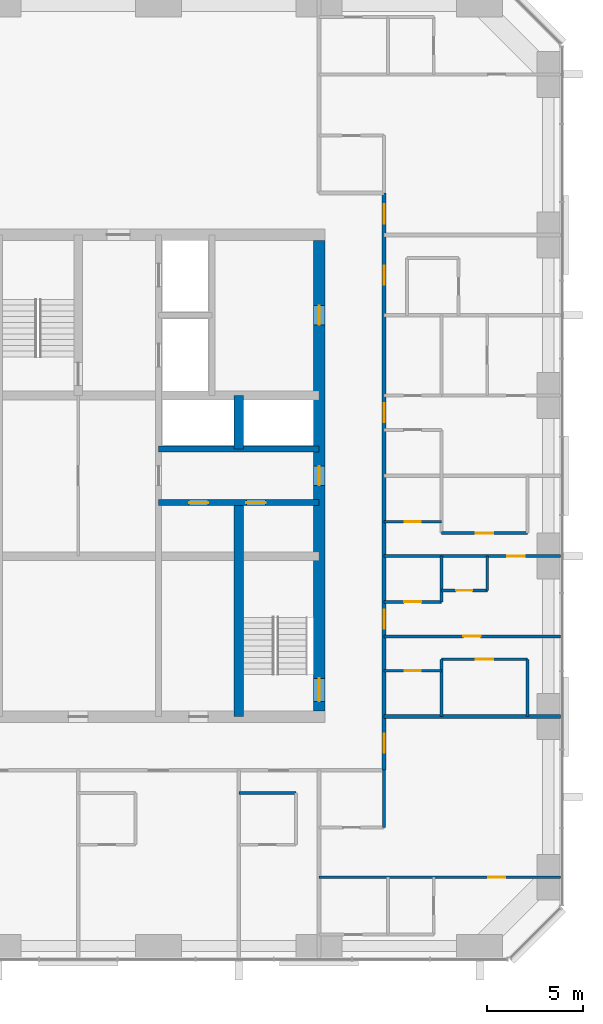
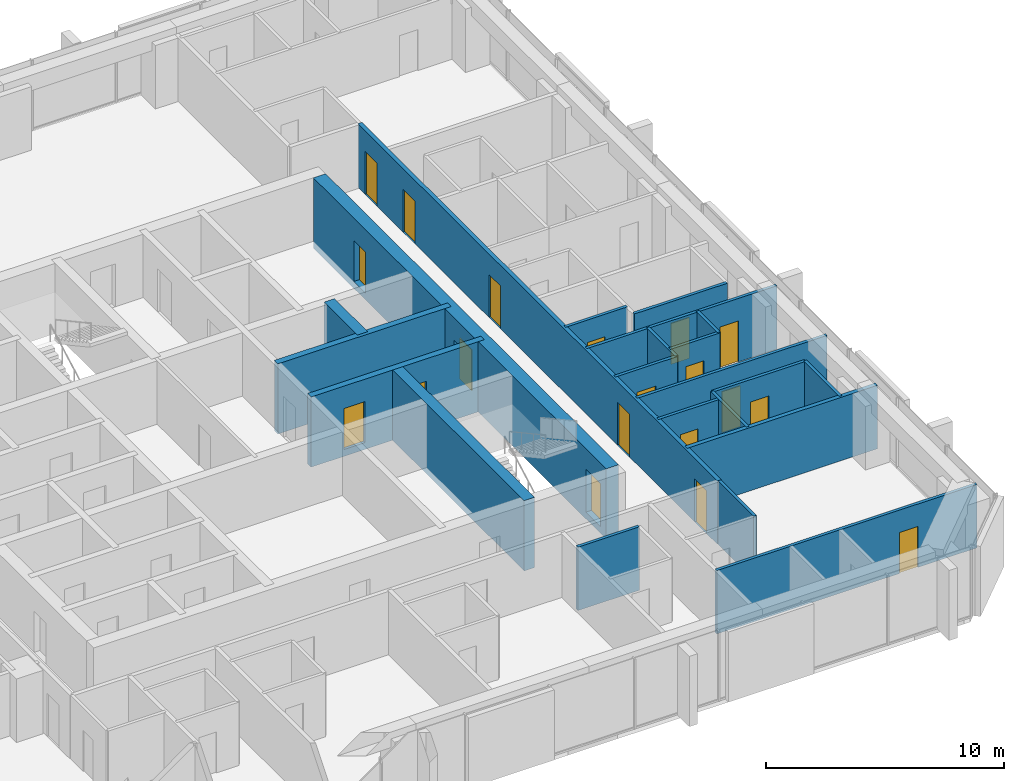
# One storey, part 10 of 13: 22 walls, 19 doors, 19 openings.
"""IFC4 building model written with IfcOpenShell, lengths in metres."""

from ifc_helpers import new_model, si_unit, direction, frame, frame_2d, origin, place, context, subcontext, project, spatial, rectangle, extrude, material, layer, layer_set, type_object, element, fill, save


model = new_model("IFC4")

# Units and contexts
model_context = context("Model", 3, precision=1e-05, world=origin(), true_north=direction((0.0, 1.0)))
body_context = subcontext(model_context, "Body", "Model", "MODEL_VIEW")
ifc_project = project(units=[si_unit("LENGTHUNIT", "METRE"), si_unit("AREAUNIT", "SQUARE_METRE"), si_unit("VOLUMEUNIT", "CUBIC_METRE"), si_unit("PLANEANGLEUNIT", "RADIAN"), si_unit("MASSUNIT", "GRAM", prefix="KILO")], contexts=[model_context])

# Site, building, storey
site_placement = place(None, origin())
site = spatial("IfcSite", under=ifc_project, at=site_placement, CompositionType="ELEMENT")
building_placement = place(site_placement, origin())
building = spatial("IfcBuilding", under=site, at=building_placement, Name="Dunama Terrace Hotel", CompositionType="ELEMENT")
storey_placement = place(building_placement, frame((0.0, 0.0, 187.800048828125)))
storey = spatial("IfcBuildingStorey", under=building, at=storey_placement, Name="L48", CompositionType="ELEMENT", Elevation=187.800048828125)

# Walls
ifc_material_1 = material(Name="Gypsum board partition", Category="masonry")
ifc_layer_1 = layer(ifc_material_1, 0.14990234375)
ifc_layer_set_1 = layer_set([ifc_layer_1], Name="Bathroom partition 150")
wall_type_1 = type_object("IfcWallType", Name="Bathroom partition 150", PredefinedType="PARTITIONING", material=ifc_layer_set_1)
wall_1_placement = place(storey_placement, frame((45.39990234375, 11.0, 0.0), z_axis=(0.0, 0.0, 1.0), x_axis=(0.0, 1.0, 0.0)))
element("IfcWall", 1, at=wall_1_placement, inside=storey, type_object=wall_type_1, Name="Bathroom partition 150 L48", PredefinedType="PARTITIONING", context=body_context, shape_type="SweptSolid", body=[
    extrude(rectangle(XDim=3.0, YDim=0.14990234375, at=frame_2d((1.5, 0.0))), origin(), (0.0, 0.0, 1.0), 3.25),
])
wall_2_placement = place(storey_placement, frame((50.800048828125, 23.39990234375, 0.0), z_axis=(0.0, 0.0, 1.0), x_axis=(0.0, 1.0, 0.0)))
element("IfcWall", 2, at=wall_2_placement, inside=storey, type_object=wall_type_1, Name="Bathroom partition 150 L48", PredefinedType="PARTITIONING", context=body_context, shape_type="SweptSolid", body=[
    extrude(rectangle(XDim=1.800048828125, YDim=0.14990234375, at=frame_2d((0.89990234375, 0.0))), origin(), (0.0, 0.0, 1.0), 3.25),
])
wall_3_placement = place(storey_placement, frame((37.800048828125, 12.800048828125, 0.0), z_axis=(0.0, 0.0, 1.0), x_axis=(1.0, 0.0, 0.0)))
element("IfcWall", 3, at=wall_3_placement, inside=storey, type_object=wall_type_1, Name="Bathroom partition 150 L48", PredefinedType="PARTITIONING", context=body_context, shape_type="SweptSolid", body=[
    extrude(rectangle(XDim=3.0, YDim=0.14990234375, at=frame_2d((1.5, 0.0))), origin(), (0.0, 0.0, 1.0), 3.25),
])

# Wall, opening, door
wall_4_placement = place(storey_placement, frame((45.39990234375, 19.199951171875, 0.0), z_axis=(0.0, 0.0, 1.0), x_axis=(1.0, 0.0, 0.0)))
wall_4 = element("IfcWall", 4, at=wall_4_placement, inside=storey, type_object=wall_type_1, Name="Bathroom partition 150 L48", PredefinedType="PARTITIONING", context=body_context, shape_type="SweptSolid", body=[
    extrude(rectangle(XDim=3.0, YDim=0.14990234375, at=frame_2d((1.5, 0.0))), origin(), (0.0, 0.0, 1.0), 3.25),
])
opening_1_placement = place(wall_4_placement, frame((1.074951171875, 0.0, 0.0)))
opening_1 = element("IfcOpeningElement", 5, at=opening_1_placement, cuts=wall_4, Name="Opening L48-50-024", PredefinedType="OPENING", context=body_context, shape_type="SweptSolid", body=[
    extrude(rectangle(XDim=0.85009765625, YDim=2.10009765625, at=frame_2d((0.425048828125, 1.050048828125))), frame((0.0, 0.0849609375, 0.0), z_axis=(0.0, -1.0, 0.0), x_axis=(1.0, 0.0, 0.0)), (0.0, 0.0, 1.0), 0.169921875),
])
ifc_material_2 = material(Name="Timber door with steel frame", Category="steel")
door_type_1 = type_object("IfcDoorType", Name="Bathroom door 850", OperationType="SINGLE_SWING_LEFT", PredefinedType="DOOR", material=ifc_material_2)
door_1_placement = place(opening_1_placement, frame((0.85009765625, 0.0, 0.0), z_axis=(0.0, 0.0, 1.0), x_axis=(-1.0, 0.0, 0.0)))
door_1 = element("IfcDoor", 6, at=door_1_placement, inside=storey, type_object=door_type_1, Name="Door to en-suite bathroom L48-50-024, type D2", OperationType="SINGLE_SWING_RIGHT", OverallHeight=2.10009765625, OverallWidth=0.85009765625, PredefinedType="DOOR", context=body_context, shape_type="SweptSolid", body=[
    extrude(rectangle(XDim=0.85009765625, YDim=2.10009765625, at=frame_2d((0.425048828125, 1.050048828125))), frame((0.0, 0.025146484375, 0.0), z_axis=(0.0, -1.0, 0.0), x_axis=(1.0, 0.0, 0.0)), (0.0, 0.0, 1.0), 0.050048828125),
])
fill(opening_1, door_1)

wall_5_placement = place(storey_placement, frame((48.39990234375, 23.39990234375, 0.0), z_axis=(0.0, 0.0, 1.0), x_axis=(1.0, 0.0, 0.0)))
wall_5 = element("IfcWall", 7, at=wall_5_placement, inside=storey, type_object=wall_type_1, Name="Bathroom partition 150 L48", PredefinedType="PARTITIONING", context=body_context, shape_type="SweptSolid", body=[
    extrude(rectangle(XDim=2.400146484375, YDim=0.14990234375, at=frame_2d((1.2001953125, 0.0))), origin(), (0.0, 0.0, 1.0), 3.25),
])
opening_2_placement = place(wall_5_placement, frame((0.77490234375, 0.0, 0.0)))
opening_2 = element("IfcOpeningElement", 8, at=opening_2_placement, cuts=wall_5, Name="Opening L48-50-019", PredefinedType="OPENING", context=body_context, shape_type="SweptSolid", body=[
    extrude(rectangle(XDim=0.85009765625, YDim=2.10009765625, at=frame_2d((0.425048828125, 1.050048828125))), frame((0.0, 0.0849609375, 0.0), z_axis=(0.0, -1.0, 0.0), x_axis=(1.0, 0.0, 0.0)), (0.0, 0.0, 1.0), 0.169921875),
])
door_2_placement = place(opening_2_placement, origin())
door_2 = element("IfcDoor", 9, at=door_2_placement, inside=storey, type_object=door_type_1, Name="Door to two-bedroom diplomatic residence guest wc L48-50-019, type D2", OperationType="SINGLE_SWING_LEFT", OverallHeight=2.10009765625, OverallWidth=0.85009765625, PredefinedType="DOOR", context=body_context, shape_type="SweptSolid", body=[
    extrude(rectangle(XDim=0.85009765625, YDim=2.10009765625, at=frame_2d((0.425048828125, 1.050048828125))), frame((0.0, 0.02490234375, 0.0), z_axis=(0.0, -1.0, 0.0), x_axis=(1.0, 0.0, 0.0)), (0.0, 0.0, 1.0), 0.050048828125),
])
fill(opening_2, door_2)

wall_6_placement = place(storey_placement, frame((45.39990234375, 27.0, 0.0), z_axis=(0.0, 0.0, 1.0), x_axis=(1.0, 0.0, 0.0)))
wall_6 = element("IfcWall", 10, at=wall_6_placement, inside=storey, type_object=wall_type_1, Name="Bathroom partition 150 L48", PredefinedType="PARTITIONING", context=body_context, shape_type="SweptSolid", body=[
    extrude(rectangle(XDim=3.0, YDim=0.14990234375, at=frame_2d((1.5, 0.0))), origin(), (0.0, 0.0, 1.0), 3.25),
])
opening_3_placement = place(wall_6_placement, frame((1.074951171875, 0.0, 0.0)))
opening_3 = element("IfcOpeningElement", 11, at=opening_3_placement, cuts=wall_6, Name="Opening L48-50-021", PredefinedType="OPENING", context=body_context, shape_type="SweptSolid", body=[
    extrude(rectangle(XDim=0.85009765625, YDim=2.10009765625, at=frame_2d((0.425048828125, 1.050048828125))), frame((0.0, 0.0849609375, 0.0), z_axis=(0.0, -1.0, 0.0), x_axis=(1.0, 0.0, 0.0)), (0.0, 0.0, 1.0), 0.169921875),
])
door_3_placement = place(opening_3_placement, origin())
door_3 = element("IfcDoor", 12, at=door_3_placement, inside=storey, type_object=door_type_1, Name="Door to en-suite bathroom L48-50-021, type D2", OperationType="SINGLE_SWING_LEFT", OverallHeight=2.10009765625, OverallWidth=0.85009765625, PredefinedType="DOOR", context=body_context, shape_type="SweptSolid", body=[
    extrude(rectangle(XDim=0.85009765625, YDim=2.10009765625, at=frame_2d((0.425048828125, 1.050048828125))), frame((0.0, 0.02490234375, 0.0), z_axis=(0.0, -1.0, 0.0), x_axis=(1.0, 0.0, 0.0)), (0.0, 0.0, 1.0), 0.050048828125),
])
fill(opening_3, door_3)

# Wall, openings, doors
ifc_material_3 = material(Name="Concrete C50/60", Category="concrete")
ifc_layer_2 = layer(ifc_material_3, 0.300048828125)
ifc_layer_set_2 = layer_set([ifc_layer_2], Name="Core inner wall 300")
wall_type_2 = type_object("IfcWallType", Name="Core inner wall 300", PredefinedType="SHEAR", material=ifc_layer_set_2)
wall_7_placement = place(storey_placement, frame((33.60009765625, 28.0, -0.35009765625), z_axis=(0.0, 0.0, 1.0), x_axis=(1.0, 0.0, 0.0)))
wall_7 = element("IfcWall", 13, at=wall_7_placement, inside=storey, type_object=wall_type_2, Name="Core inner wall 300 L48", PredefinedType="SHEAR", context=body_context, shape_type="SweptSolid", body=[
    extrude(rectangle(XDim=8.39990234375, YDim=0.300048828125, at=frame_2d((4.199951171875, 0.0))), origin(), (0.0, 0.0, 1.0), 3.60009765625),
])
opening_4_placement = place(wall_7_placement, frame((1.60009765625, 0.0, 0.35009765625)))
opening_4 = element("IfcOpeningElement", 14, at=opening_4_placement, cuts=wall_7, Name="Opening L48-50-069", PredefinedType="OPENING", context=body_context, shape_type="SweptSolid", body=[
    extrude(rectangle(XDim=1.0, YDim=2.10009765625, at=frame_2d((0.5, 1.050048828125))), frame((0.0, 0.159912109375, 0.0), z_axis=(0.0, -1.0, 0.0), x_axis=(1.0, 0.0, 0.0)), (0.0, 0.0, 1.0), 0.320068359375),
])
opening_5_placement = place(wall_7_placement, frame((4.60009765625, 0.0, 0.35009765625)))
opening_5 = element("IfcOpeningElement", 15, at=opening_5_placement, cuts=wall_7, Name="Opening L48-50-070", PredefinedType="OPENING", context=body_context, shape_type="SweptSolid", body=[
    extrude(rectangle(XDim=1.0, YDim=2.10009765625, at=frame_2d((0.5, 1.050048828125))), frame((0.0, 0.159912109375, 0.0), z_axis=(0.0, -1.0, 0.0), x_axis=(1.0, 0.0, 0.0)), (0.0, 0.0, 1.0), 0.320068359375),
])
ifc_material_4 = material(Name="Timber door with steel frame", Category="steel")
door_type_2 = type_object("IfcDoorType", Name="Service door 1000", OperationType="SINGLE_SWING_LEFT", PredefinedType="DOOR", material=ifc_material_4)
door_4_placement = place(opening_4_placement, frame((1.0, 0.0, 0.0), z_axis=(0.0, 0.0, 1.0), x_axis=(-1.0, 0.0, 0.0)))
door_4 = element("IfcDoor", 16, at=door_4_placement, inside=storey, type_object=door_type_2, Name="Door to service riser L48-50-069, type D7", OperationType="SINGLE_SWING_LEFT", OverallHeight=2.10009765625, OverallWidth=1.0, PredefinedType="DOOR", context=body_context, shape_type="SweptSolid", body=[
    extrude(rectangle(XDim=1.0, YDim=2.10009765625, at=frame_2d((0.5, 1.050048828125))), frame((0.0, 0.025146484375, 0.0), z_axis=(0.0, -1.0, 0.0), x_axis=(1.0, 0.0, 0.0)), (0.0, 0.0, 1.0), 0.050048828125),
])
fill(opening_4, door_4)
door_5_placement = place(opening_5_placement, frame((1.0, 0.0, 0.0), z_axis=(0.0, 0.0, 1.0), x_axis=(-1.0, 0.0, 0.0)))
door_5 = element("IfcDoor", 17, at=door_5_placement, inside=storey, type_object=door_type_2, Name="Door to cleaners store L48-50-070, type D7", OperationType="SINGLE_SWING_RIGHT", OverallHeight=2.10009765625, OverallWidth=1.0, PredefinedType="DOOR", context=body_context, shape_type="SweptSolid", body=[
    extrude(rectangle(XDim=1.0, YDim=2.10009765625, at=frame_2d((0.5, 1.050048828125))), frame((0.0, 0.025146484375, 0.0), z_axis=(0.0, -1.0, 0.0), x_axis=(1.0, 0.0, 0.0)), (0.0, 0.0, 1.0), 0.050048828125),
])
fill(opening_5, door_5)

# Walls
wall_8_placement = place(storey_placement, frame((33.60009765625, 30.800048828125, -0.35009765625), z_axis=(0.0, 0.0, 1.0), x_axis=(1.0, 0.0, 0.0)))
element("IfcWall", 18, at=wall_8_placement, inside=storey, type_object=wall_type_2, Name="Core inner wall 300 L48", PredefinedType="SHEAR", context=body_context, shape_type="SweptSolid", body=[
    extrude(rectangle(XDim=8.39990234375, YDim=0.300048828125, at=frame_2d((4.199951171875, 0.0))), origin(), (0.0, 0.0, 1.0), 3.60009765625),
])
ifc_material_5 = material(Name="Concrete C50/60", Category="concrete")
ifc_layer_3 = layer(ifc_material_5, 0.5)
ifc_layer_set_3 = layer_set([ifc_layer_3], Name="Core inner wall 500")
wall_type_3 = type_object("IfcWallType", Name="Core inner wall 500", PredefinedType="SHEAR", material=ifc_layer_set_3)
wall_9_placement = place(storey_placement, frame((37.800048828125, 16.800048828125, -0.35009765625), z_axis=(0.0, 0.0, 1.0), x_axis=(0.0, 1.0, 0.0)))
element("IfcWall", 19, at=wall_9_placement, inside=storey, type_object=wall_type_3, Name="Core inner wall 500 L48", PredefinedType="SHEAR", context=body_context, shape_type="SweptSolid", body=[
    extrude(rectangle(XDim=11.199951171875, YDim=0.5, at=frame_2d((5.60009765625, 0.0))), origin(), (0.0, 0.0, 1.0), 3.60009765625),
])
wall_10_placement = place(storey_placement, frame((37.800048828125, 30.800048828125, -0.35009765625), z_axis=(0.0, 0.0, 1.0), x_axis=(0.0, 1.0, 0.0)))
element("IfcWall", 20, at=wall_10_placement, inside=storey, type_object=wall_type_3, Name="Core inner wall 500 L48", PredefinedType="SHEAR", context=body_context, shape_type="SweptSolid", body=[
    extrude(rectangle(XDim=2.800048828125, YDim=0.5, at=frame_2d((1.39990234375, 0.0))), origin(), (0.0, 0.0, 1.0), 3.60009765625),
])

# Wall, openings, doors
ifc_material_6 = material(Name="Concrete C50/60", Category="concrete")
ifc_layer_4 = layer(ifc_material_6, 0.60009765625)
ifc_layer_set_4 = layer_set([ifc_layer_4], Name="Core wall 600")
wall_type_4 = type_object("IfcWallType", Name="Core wall 600", PredefinedType="SHEAR", material=ifc_layer_set_4)
wall_11_placement = place(storey_placement, frame((42.0, 17.10009765625, -0.35009765625), z_axis=(0.0, 0.0, 1.0), x_axis=(0.0, 1.0, 0.0)))
wall_11 = element("IfcWall", 21, at=wall_11_placement, inside=storey, type_object=wall_type_4, Name="Core wall east L48", PredefinedType="SHEAR", context=body_context, shape_type="SweptSolid", body=[
    extrude(rectangle(XDim=24.599853515625, YDim=0.60009765625, at=frame_2d((12.2998046875, 0.0))), origin(), (0.0, 0.0, 1.0), 3.60009765625),
])
opening_6_placement = place(wall_11_placement, frame((0.5, 0.0, 0.35009765625)))
opening_6 = element("IfcOpeningElement", 22, at=opening_6_placement, cuts=wall_11, Name="Opening L48-50-002", PredefinedType="OPENING", context=body_context, shape_type="SweptSolid", body=[
    extrude(rectangle(XDim=1.199951171875, YDim=2.199951171875, at=frame_2d((0.60009765625, 1.10009765625))), frame((0.0, 0.31005859375, 0.0), z_axis=(0.0, -1.0, 0.0), x_axis=(1.0, 0.0, 0.0)), (0.0, 0.0, 1.0), 0.6201171875),
])
opening_7_placement = place(wall_11_placement, frame((11.800048828125, 0.0, 0.35009765625)))
opening_7 = element("IfcOpeningElement", 23, at=opening_7_placement, cuts=wall_11, Name="Opening L48-50-071", PredefinedType="OPENING", context=body_context, shape_type="SweptSolid", body=[
    extrude(rectangle(XDim=1.0, YDim=2.10009765625, at=frame_2d((0.5, 1.050048828125))), frame((0.0, 0.31005859375, 0.0), z_axis=(0.0, -1.0, 0.0), x_axis=(1.0, 0.0, 0.0)), (0.0, 0.0, 1.0), 0.6201171875),
])
opening_8_placement = place(wall_11_placement, frame((20.199951171875, 0.0, 0.35009765625)))
opening_8 = element("IfcOpeningElement", 24, at=opening_8_placement, cuts=wall_11, Name="Opening L48-50-073", PredefinedType="OPENING", context=body_context, shape_type="SweptSolid", body=[
    extrude(rectangle(XDim=1.0, YDim=2.10009765625, at=frame_2d((0.5, 1.050048828125))), frame((0.0, 0.31005859375, 0.0), z_axis=(0.0, -1.0, 0.0), x_axis=(1.0, 0.0, 0.0)), (0.0, 0.0, 1.0), 0.6201171875),
])
door_6_placement = place(opening_7_placement, origin())
door_6 = element("IfcDoor", 25, at=door_6_placement, inside=storey, type_object=door_type_2, Name="Door to service lobby L48-50-071, type D7", OperationType="SINGLE_SWING_RIGHT", OverallHeight=2.10009765625, OverallWidth=1.0, PredefinedType="DOOR", context=body_context, shape_type="SweptSolid", body=[
    extrude(rectangle(XDim=1.0, YDim=2.10009765625, at=frame_2d((0.5, 1.050048828125))), frame((0.0, 0.02490234375, 0.0), z_axis=(0.0, -1.0, 0.0), x_axis=(1.0, 0.0, 0.0)), (0.0, 0.0, 1.0), 0.050048828125),
])
fill(opening_7, door_6)
door_7_placement = place(opening_8_placement, origin())
door_7 = element("IfcDoor", 26, at=door_7_placement, inside=storey, type_object=door_type_2, Name="Door to guest pantry L48-50-073, type D7", OperationType="SINGLE_SWING_LEFT", OverallHeight=2.10009765625, OverallWidth=1.0, PredefinedType="DOOR", context=body_context, shape_type="SweptSolid", body=[
    extrude(rectangle(XDim=1.0, YDim=2.10009765625, at=frame_2d((0.5, 1.050048828125))), frame((0.0, 0.02490234375, 0.0), z_axis=(0.0, -1.0, 0.0), x_axis=(1.0, 0.0, 0.0)), (0.0, 0.0, 1.0), 0.050048828125),
])
fill(opening_8, door_7)
ifc_material_7 = material(Name="Timber door with steel frame", Category="steel")
door_type_3 = type_object("IfcDoorType", Name="Stair door 1200", OperationType="SINGLE_SWING_LEFT", PredefinedType="DOOR", material=ifc_material_7)
door_8_placement = place(opening_6_placement, origin())
door_8 = element("IfcDoor", 27, at=door_8_placement, inside=storey, type_object=door_type_3, Name="Stair door ST2 L48-50-002, type D5", OperationType="SINGLE_SWING_LEFT", OverallHeight=2.199951171875, OverallWidth=1.199951171875, PredefinedType="DOOR", context=body_context, shape_type="SweptSolid", body=[
    extrude(rectangle(XDim=1.199951171875, YDim=2.199951171875, at=frame_2d((0.60009765625, 1.10009765625))), frame((0.0, 0.02490234375, 0.0), z_axis=(0.0, -1.0, 0.0), x_axis=(1.0, 0.0, 0.0)), (0.0, 0.0, 1.0), 0.050048828125),
])
fill(opening_6, door_8)

ifc_material_8 = material(Name="Concrete blockwork", Category="masonry")
ifc_layer_5 = layer(ifc_material_8, 0.199951171875)
ifc_layer_set_5 = layer_set([ifc_layer_5], Name="Corridor partition 200")
wall_type_5 = type_object("IfcWallType", Name="Corridor partition 200", PredefinedType="PARTITIONING", material=ifc_layer_set_5)
wall_12_placement = place(storey_placement, frame((45.39990234375, 44.199951171875, 0.0), z_axis=(0.0, 0.0, 1.0), x_axis=(0.0, -1.0, 0.0)))
wall_12 = element("IfcWall", 28, at=wall_12_placement, inside=storey, type_object=wall_type_5, Name="Corridor partition 200 L48", PredefinedType="PARTITIONING", context=body_context, shape_type="SweptSolid", body=[
    extrude(rectangle(XDim=30.199951171875, YDim=0.199951171875, at=frame_2d((15.10009765625, 0.0))), origin(), (0.0, 0.0, 1.0), 3.25),
])
opening_9_placement = place(wall_12_placement, frame((21.800048828125, 0.0, 0.0)))
opening_9 = element("IfcOpeningElement", 29, at=opening_9_placement, cuts=wall_12, Name="Opening L48-50-017", PredefinedType="OPENING", context=body_context, shape_type="SweptSolid", body=[
    extrude(rectangle(XDim=1.0, YDim=2.199951171875, at=frame_2d((0.5, 1.10009765625))), frame((0.0, 0.10986328125, 0.0), z_axis=(0.0, -1.0, 0.0), x_axis=(1.0, 0.0, 0.0)), (0.0, 0.0, 1.0), 0.219970703125),
])
opening_10_placement = place(wall_12_placement, frame((11.0, 0.0, 0.0)))
opening_10 = element("IfcOpeningElement", 30, at=opening_10_placement, cuts=wall_12, Name="Opening L48-50-026", PredefinedType="OPENING", context=body_context, shape_type="SweptSolid", body=[
    extrude(rectangle(XDim=1.0, YDim=2.199951171875, at=frame_2d((0.5, 1.10009765625))), frame((0.0, 0.10986328125, 0.0), z_axis=(0.0, -1.0, 0.0), x_axis=(1.0, 0.0, 0.0)), (0.0, 0.0, 1.0), 0.219970703125),
])
opening_11_placement = place(wall_12_placement, frame((3.800048828125, 0.0, 0.0)))
opening_11 = element("IfcOpeningElement", 31, at=opening_11_placement, cuts=wall_12, Name="Opening L48-50-031", PredefinedType="OPENING", context=body_context, shape_type="SweptSolid", body=[
    extrude(rectangle(XDim=1.0, YDim=2.199951171875, at=frame_2d((0.5, 1.10009765625))), frame((0.0, 0.10986328125, 0.0), z_axis=(0.0, -1.0, 0.0), x_axis=(1.0, 0.0, 0.0)), (0.0, 0.0, 1.0), 0.219970703125),
])
opening_12_placement = place(wall_12_placement, frame((28.300048828125, 0.0, 0.0)))
opening_12 = element("IfcOpeningElement", 32, at=opening_12_placement, cuts=wall_12, Name="Opening L48-50-044", PredefinedType="OPENING", context=body_context, shape_type="SweptSolid", body=[
    extrude(rectangle(XDim=1.0, YDim=2.199951171875, at=frame_2d((0.5, 1.10009765625))), frame((0.0, 0.10986328125, 0.0), z_axis=(0.0, -1.0, 0.0), x_axis=(1.0, 0.0, 0.0)), (0.0, 0.0, 1.0), 0.219970703125),
])
opening_13_placement = place(wall_12_placement, frame((0.60009765625, 0.0, 0.0)))
opening_13 = element("IfcOpeningElement", 33, at=opening_13_placement, cuts=wall_12, Name="Opening L48-50-049", PredefinedType="OPENING", context=body_context, shape_type="SweptSolid", body=[
    extrude(rectangle(XDim=1.0, YDim=2.199951171875, at=frame_2d((0.5, 1.10009765625))), frame((0.0, 0.10986328125, 0.0), z_axis=(0.0, -1.0, 0.0), x_axis=(1.0, 0.0, 0.0)), (0.0, 0.0, 1.0), 0.219970703125),
])
ifc_material_9 = material(Name="Timber door with steel frame", Category="steel")
door_type_4 = type_object("IfcDoorType", Name="Guest room door 1000", OperationType="SINGLE_SWING_LEFT", PredefinedType="DOOR", material=ifc_material_9)
door_9_placement = place(opening_9_placement, origin())
door_9 = element("IfcDoor", 34, at=door_9_placement, inside=storey, type_object=door_type_4, Name="Door to two-bedroom diplomatic residence living room L48-50-017, type D1", OperationType="SINGLE_SWING_LEFT", OverallHeight=2.199951171875, OverallWidth=1.0, PredefinedType="DOOR", context=body_context, shape_type="SweptSolid", body=[
    extrude(rectangle(XDim=1.0, YDim=2.199951171875, at=frame_2d((0.5, 1.10009765625))), frame((0.0, 0.02490234375, 0.0), z_axis=(0.0, -1.0, 0.0), x_axis=(1.0, 0.0, 0.0)), (0.0, 0.0, 1.0), 0.050048828125),
])
fill(opening_9, door_9)
door_10_placement = place(opening_10_placement, origin())
door_10 = element("IfcDoor", 35, at=door_10_placement, inside=storey, type_object=door_type_4, Name="Door to diplomatic residence living room L48-50-026, type D1", OperationType="SINGLE_SWING_LEFT", OverallHeight=2.199951171875, OverallWidth=1.0, PredefinedType="DOOR", context=body_context, shape_type="SweptSolid", body=[
    extrude(rectangle(XDim=1.0, YDim=2.199951171875, at=frame_2d((0.5, 1.10009765625))), frame((0.0, 0.02490234375, 0.0), z_axis=(0.0, -1.0, 0.0), x_axis=(1.0, 0.0, 0.0)), (0.0, 0.0, 1.0), 0.050048828125),
])
fill(opening_10, door_10)
door_11_placement = place(opening_11_placement, origin())
door_11 = element("IfcDoor", 36, at=door_11_placement, inside=storey, type_object=door_type_4, Name="Door to club room L48-50-031, type D1", OperationType="SINGLE_SWING_LEFT", OverallHeight=2.199951171875, OverallWidth=1.0, PredefinedType="DOOR", context=body_context, shape_type="SweptSolid", body=[
    extrude(rectangle(XDim=1.0, YDim=2.199951171875, at=frame_2d((0.5, 1.10009765625))), frame((0.0, 0.02490234375, 0.0), z_axis=(0.0, -1.0, 0.0), x_axis=(1.0, 0.0, 0.0)), (0.0, 0.0, 1.0), 0.050048828125),
])
fill(opening_11, door_11)
door_12_placement = place(opening_12_placement, origin())
door_12 = element("IfcDoor", 37, at=door_12_placement, inside=storey, type_object=door_type_4, Name="Door to corner suite living room L48-50-044, type D1", OperationType="SINGLE_SWING_LEFT", OverallHeight=2.199951171875, OverallWidth=1.0, PredefinedType="DOOR", context=body_context, shape_type="SweptSolid", body=[
    extrude(rectangle(XDim=1.0, YDim=2.199951171875, at=frame_2d((0.5, 1.10009765625))), frame((0.0, 0.02490234375, 0.0), z_axis=(0.0, -1.0, 0.0), x_axis=(1.0, 0.0, 0.0)), (0.0, 0.0, 1.0), 0.050048828125),
])
fill(opening_12, door_12)
door_13_placement = place(opening_13_placement, origin())
door_13 = element("IfcDoor", 38, at=door_13_placement, inside=storey, type_object=door_type_4, Name="Door to corner suite living room L48-50-049, type D1", OperationType="SINGLE_SWING_LEFT", OverallHeight=2.199951171875, OverallWidth=1.0, PredefinedType="DOOR", context=body_context, shape_type="SweptSolid", body=[
    extrude(rectangle(XDim=1.0, YDim=2.199951171875, at=frame_2d((0.5, 1.10009765625))), frame((0.0, 0.02490234375, 0.0), z_axis=(0.0, -1.0, 0.0), x_axis=(1.0, 0.0, 0.0)), (0.0, 0.0, 1.0), 0.050048828125),
])
fill(opening_13, door_13)

# Walls
ifc_material_10 = material(Name="Concrete blockwork", Category="masonry")
ifc_layer_6 = layer(ifc_material_10, 0.199951171875)
ifc_layer_set_6 = layer_set([ifc_layer_6], Name="Party wall 200")
wall_type_6 = type_object("IfcWallType", Name="Party wall 200", PredefinedType="PARTITIONING", material=ifc_layer_set_6)
wall_13_placement = place(storey_placement, frame((45.39990234375, 16.800048828125, 0.0), z_axis=(0.0, 0.0, 1.0), x_axis=(1.0, 0.0, 0.0)))
element("IfcWall", 39, at=wall_13_placement, inside=storey, type_object=wall_type_6, Name="Party wall 200 L48", PredefinedType="PARTITIONING", context=body_context, shape_type="SweptSolid", body=[
    extrude(rectangle(XDim=9.218017578125, YDim=0.199951171875, at=frame_2d((4.60888671875, 0.0))), origin(), (0.0, 0.0, 1.0), 3.25),
])
ifc_material_11 = material(Name="Gypsum board partition", Category="masonry")
ifc_layer_7 = layer(ifc_material_11, 0.14990234375)
ifc_layer_set_7 = layer_set([ifc_layer_7], Name="Room partition 150")
wall_type_7 = type_object("IfcWallType", Name="Room partition 150", PredefinedType="PARTITIONING", material=ifc_layer_set_7)
wall_14_placement = place(storey_placement, frame((48.39990234375, 16.800048828125, 0.0), z_axis=(0.0, 0.0, 1.0), x_axis=(0.0, 1.0, 0.0)))
element("IfcWall", 40, at=wall_14_placement, inside=storey, type_object=wall_type_7, Name="Room partition 150 L48", PredefinedType="PARTITIONING", context=body_context, shape_type="SweptSolid", body=[
    extrude(rectangle(XDim=3.0, YDim=0.14990234375, at=frame_2d((1.5, 0.0))), origin(), (0.0, 0.0, 1.0), 3.25),
])
wall_15_placement = place(storey_placement, frame((48.39990234375, 22.800048828125, 0.0), z_axis=(0.0, 0.0, 1.0), x_axis=(0.0, 1.0, 0.0)))
element("IfcWall", 41, at=wall_15_placement, inside=storey, type_object=wall_type_7, Name="Room partition 150 L48", PredefinedType="PARTITIONING", context=body_context, shape_type="SweptSolid", body=[
    extrude(rectangle(XDim=2.39990234375, YDim=0.14990234375, at=frame_2d((1.199951171875, 0.0))), origin(), (0.0, 0.0, 1.0), 3.25),
])
wall_16_placement = place(storey_placement, frame((52.89990234375, 16.800048828125, 0.0), z_axis=(0.0, 0.0, 1.0), x_axis=(0.0, 1.0, 0.0)))
element("IfcWall", 42, at=wall_16_placement, inside=storey, type_object=wall_type_7, Name="Room partition 150 L48", PredefinedType="PARTITIONING", context=body_context, shape_type="SweptSolid", body=[
    extrude(rectangle(XDim=3.0, YDim=0.14990234375, at=frame_2d((1.5, 0.0))), origin(), (0.0, 0.0, 1.0), 3.25),
])

# Wall, opening, door
wall_17_placement = place(storey_placement, frame((42.0, 8.39990234375, 0.0), z_axis=(0.0, 0.0, 1.0), x_axis=(1.0, 0.0, 0.0)))
wall_17 = element("IfcWall", 43, at=wall_17_placement, inside=storey, type_object=wall_type_7, Name="Room partition 150 L48", PredefinedType="PARTITIONING", context=body_context, shape_type="SweptSolid", body=[
    extrude(rectangle(XDim=12.617919921875, YDim=0.14990234375, at=frame_2d((6.30908203125, 0.0))), origin(), (0.0, 0.0, 1.0), 3.25),
])
opening_14_placement = place(wall_17_placement, frame((8.85009765625, 0.0, 0.0)))
opening_14 = element("IfcOpeningElement", 44, at=opening_14_placement, cuts=wall_17, Name="Opening L48-50-046", PredefinedType="OPENING", context=body_context, shape_type="SweptSolid", body=[
    extrude(rectangle(XDim=0.89990234375, YDim=2.10009765625, at=frame_2d((0.449951171875, 1.050048828125))), frame((0.0, 0.0849609375, 0.0), z_axis=(0.0, -1.0, 0.0), x_axis=(1.0, 0.0, 0.0)), (0.0, 0.0, 1.0), 0.169921875),
])
ifc_material_12 = material(Name="Timber door with steel frame", Category="steel")
door_type_5 = type_object("IfcDoorType", Name="Suite internal door 900", OperationType="SINGLE_SWING_LEFT", PredefinedType="DOOR", material=ifc_material_12)
door_14_placement = place(opening_14_placement, frame((0.89990234375, 0.0, 0.0), z_axis=(0.0, 0.0, 1.0), x_axis=(-1.0, 0.0, 0.0)))
door_14 = element("IfcDoor", 45, at=door_14_placement, inside=storey, type_object=door_type_5, Name="Door to corner suite bedroom L48-50-046, type D16", OperationType="SINGLE_SWING_LEFT", OverallHeight=2.10009765625, OverallWidth=0.89990234375, PredefinedType="DOOR", context=body_context, shape_type="SweptSolid", body=[
    extrude(rectangle(XDim=0.89990234375, YDim=2.10009765625, at=frame_2d((0.449951171875, 1.050048828125))), frame((0.0, 0.025146484375, 0.0), z_axis=(0.0, -1.0, 0.0), x_axis=(1.0, 0.0, 0.0)), (0.0, 0.0, 1.0), 0.050048828125),
])
fill(opening_14, door_14)

wall_18_placement = place(storey_placement, frame((48.39990234375, 19.800048828125, 0.0), z_axis=(0.0, 0.0, 1.0), x_axis=(1.0, 0.0, 0.0)))
wall_18 = element("IfcWall", 46, at=wall_18_placement, inside=storey, type_object=wall_type_7, Name="Room partition 150 L48", PredefinedType="PARTITIONING", context=body_context, shape_type="SweptSolid", body=[
    extrude(rectangle(XDim=4.5, YDim=0.14990234375, at=frame_2d((2.25, 0.0))), origin(), (0.0, 0.0, 1.0), 3.25),
])
opening_15_placement = place(wall_18_placement, frame((1.800048828125, 0.0, 0.0)))
opening_15 = element("IfcOpeningElement", 47, at=opening_15_placement, cuts=wall_18, Name="Opening L48-50-025", PredefinedType="OPENING", context=body_context, shape_type="SweptSolid", body=[
    extrude(rectangle(XDim=0.89990234375, YDim=2.10009765625, at=frame_2d((0.449951171875, 1.050048828125))), frame((0.0, 0.0849609375, 0.0), z_axis=(0.0, -1.0, 0.0), x_axis=(1.0, 0.0, 0.0)), (0.0, 0.0, 1.0), 0.169921875),
])
door_15_placement = place(opening_15_placement, frame((0.89990234375, 0.0, 0.0), z_axis=(0.0, 0.0, 1.0), x_axis=(-1.0, 0.0, 0.0)))
door_15 = element("IfcDoor", 48, at=door_15_placement, inside=storey, type_object=door_type_5, Name="Door to walk-in wardrobe L48-50-025, type D16", OperationType="SINGLE_SWING_RIGHT", OverallHeight=2.10009765625, OverallWidth=0.89990234375, PredefinedType="DOOR", context=body_context, shape_type="SweptSolid", body=[
    extrude(rectangle(XDim=0.89990234375, YDim=2.10009765625, at=frame_2d((0.449951171875, 1.050048828125))), frame((0.0, 0.025146484375, 0.0), z_axis=(0.0, -1.0, 0.0), x_axis=(1.0, 0.0, 0.0)), (0.0, 0.0, 1.0), 0.050048828125),
])
fill(opening_15, door_15)

wall_19_placement = place(storey_placement, frame((45.39990234375, 21.0, 0.0), z_axis=(0.0, 0.0, 1.0), x_axis=(1.0, 0.0, 0.0)))
wall_19 = element("IfcWall", 49, at=wall_19_placement, inside=storey, type_object=wall_type_7, Name="Room partition 150 L48", PredefinedType="PARTITIONING", context=body_context, shape_type="SweptSolid", body=[
    extrude(rectangle(XDim=9.218017578125, YDim=0.14990234375, at=frame_2d((4.60888671875, 0.0))), origin(), (0.0, 0.0, 1.0), 3.25),
])
opening_16_placement = place(wall_19_placement, frame((4.14990234375, 0.0, 0.0)))
opening_16 = element("IfcOpeningElement", 50, at=opening_16_placement, cuts=wall_19, Name="Opening L48-50-023", PredefinedType="OPENING", context=body_context, shape_type="SweptSolid", body=[
    extrude(rectangle(XDim=0.89990234375, YDim=2.10009765625, at=frame_2d((0.449951171875, 1.050048828125))), frame((0.0, 0.0849609375, 0.0), z_axis=(0.0, -1.0, 0.0), x_axis=(1.0, 0.0, 0.0)), (0.0, 0.0, 1.0), 0.169921875),
])
door_16_placement = place(opening_16_placement, frame((0.89990234375, 0.0, 0.0), z_axis=(0.0, 0.0, 1.0), x_axis=(-1.0, 0.0, 0.0)))
door_16 = element("IfcDoor", 51, at=door_16_placement, inside=storey, type_object=door_type_5, Name="Door to two-bedroom diplomatic residence second bedroom L48-50-023, type D16", OperationType="SINGLE_SWING_RIGHT", OverallHeight=2.10009765625, OverallWidth=0.89990234375, PredefinedType="DOOR", context=body_context, shape_type="SweptSolid", body=[
    extrude(rectangle(XDim=0.89990234375, YDim=2.10009765625, at=frame_2d((0.449951171875, 1.050048828125))), frame((0.0, 0.025146484375, 0.0), z_axis=(0.0, -1.0, 0.0), x_axis=(1.0, 0.0, 0.0)), (0.0, 0.0, 1.0), 0.050048828125),
])
fill(opening_16, door_16)

wall_20_placement = place(storey_placement, frame((45.39990234375, 22.800048828125, 0.0), z_axis=(0.0, 0.0, 1.0), x_axis=(1.0, 0.0, 0.0)))
wall_20 = element("IfcWall", 52, at=wall_20_placement, inside=storey, type_object=wall_type_7, Name="Room partition 150 L48", PredefinedType="PARTITIONING", context=body_context, shape_type="SweptSolid", body=[
    extrude(rectangle(XDim=3.0, YDim=0.14990234375, at=frame_2d((1.5, 0.0))), origin(), (0.0, 0.0, 1.0), 3.25),
])
opening_17_placement = place(wall_20_placement, frame((1.050048828125, 0.0, 0.0)))
opening_17 = element("IfcOpeningElement", 53, at=opening_17_placement, cuts=wall_20, Name="Opening L48-50-018", PredefinedType="OPENING", context=body_context, shape_type="SweptSolid", body=[
    extrude(rectangle(XDim=0.89990234375, YDim=2.10009765625, at=frame_2d((0.449951171875, 1.050048828125))), frame((0.0, 0.0849609375, 0.0), z_axis=(0.0, -1.0, 0.0), x_axis=(1.0, 0.0, 0.0)), (0.0, 0.0, 1.0), 0.169921875),
])
door_17_placement = place(opening_17_placement, origin())
door_17 = element("IfcDoor", 54, at=door_17_placement, inside=storey, type_object=door_type_5, Name="Door to two-bedroom diplomatic residence kitchen L48-50-018, type D16", OperationType="SINGLE_SWING_LEFT", OverallHeight=2.10009765625, OverallWidth=0.89990234375, PredefinedType="DOOR", context=body_context, shape_type="SweptSolid", body=[
    extrude(rectangle(XDim=0.89990234375, YDim=2.10009765625, at=frame_2d((0.449951171875, 1.050048828125))), frame((0.0, 0.02490234375, 0.0), z_axis=(0.0, -1.0, 0.0), x_axis=(1.0, 0.0, 0.0)), (0.0, 0.0, 1.0), 0.050048828125),
])
fill(opening_17, door_17)

wall_21_placement = place(storey_placement, frame((45.39990234375, 25.199951171875, 0.0), z_axis=(0.0, 0.0, 1.0), x_axis=(1.0, 0.0, 0.0)))
wall_21 = element("IfcWall", 55, at=wall_21_placement, inside=storey, type_object=wall_type_7, Name="Room partition 150 L48", PredefinedType="PARTITIONING", context=body_context, shape_type="SweptSolid", body=[
    extrude(rectangle(XDim=9.218017578125, YDim=0.14990234375, at=frame_2d((4.60888671875, 0.0))), origin(), (0.0, 0.0, 1.0), 3.25),
])
opening_18_placement = place(wall_21_placement, frame((6.449951171875, 0.0, 0.0)))
opening_18 = element("IfcOpeningElement", 56, at=opening_18_placement, cuts=wall_21, Name="Opening L48-50-020", PredefinedType="OPENING", context=body_context, shape_type="SweptSolid", body=[
    extrude(rectangle(XDim=0.89990234375, YDim=2.10009765625, at=frame_2d((0.449951171875, 1.050048828125))), frame((0.0, 0.0849609375, 0.0), z_axis=(0.0, -1.0, 0.0), x_axis=(1.0, 0.0, 0.0)), (0.0, 0.0, 1.0), 0.169921875),
])
door_18_placement = place(opening_18_placement, origin())
door_18 = element("IfcDoor", 57, at=door_18_placement, inside=storey, type_object=door_type_5, Name="Door to two-bedroom diplomatic residence bedroom L48-50-020, type D16", OperationType="SINGLE_SWING_RIGHT", OverallHeight=2.10009765625, OverallWidth=0.89990234375, PredefinedType="DOOR", context=body_context, shape_type="SweptSolid", body=[
    extrude(rectangle(XDim=0.89990234375, YDim=2.10009765625, at=frame_2d((0.449951171875, 1.050048828125))), frame((0.0, 0.02490234375, 0.0), z_axis=(0.0, -1.0, 0.0), x_axis=(1.0, 0.0, 0.0)), (0.0, 0.0, 1.0), 0.050048828125),
])
fill(opening_18, door_18)

wall_22_placement = place(storey_placement, frame((48.39990234375, 26.39990234375, 0.0), z_axis=(0.0, 0.0, 1.0), x_axis=(1.0, 0.0, 0.0)))
wall_22 = element("IfcWall", 58, at=wall_22_placement, inside=storey, type_object=wall_type_7, Name="Room partition 150 L48", PredefinedType="PARTITIONING", context=body_context, shape_type="SweptSolid", body=[
    extrude(rectangle(XDim=4.5, YDim=0.14990234375, at=frame_2d((2.25, 0.0))), origin(), (0.0, 0.0, 1.0), 3.25),
])
opening_19_placement = place(wall_22_placement, frame((1.800048828125, 0.0, 0.0)))
opening_19 = element("IfcOpeningElement", 59, at=opening_19_placement, cuts=wall_22, Name="Opening L48-50-022", PredefinedType="OPENING", context=body_context, shape_type="SweptSolid", body=[
    extrude(rectangle(XDim=0.89990234375, YDim=2.10009765625, at=frame_2d((0.449951171875, 1.050048828125))), frame((0.0, 0.0849609375, 0.0), z_axis=(0.0, -1.0, 0.0), x_axis=(1.0, 0.0, 0.0)), (0.0, 0.0, 1.0), 0.169921875),
])
door_19_placement = place(opening_19_placement, origin())
door_19 = element("IfcDoor", 60, at=door_19_placement, inside=storey, type_object=door_type_5, Name="Door to walk-in wardrobe L48-50-022, type D16", OperationType="SINGLE_SWING_LEFT", OverallHeight=2.10009765625, OverallWidth=0.89990234375, PredefinedType="DOOR", context=body_context, shape_type="SweptSolid", body=[
    extrude(rectangle(XDim=0.89990234375, YDim=2.10009765625, at=frame_2d((0.449951171875, 1.050048828125))), frame((0.0, 0.02490234375, 0.0), z_axis=(0.0, -1.0, 0.0), x_axis=(1.0, 0.0, 0.0)), (0.0, 0.0, 1.0), 0.050048828125),
])
fill(opening_19, door_19)

save(model, "model.ifc")
